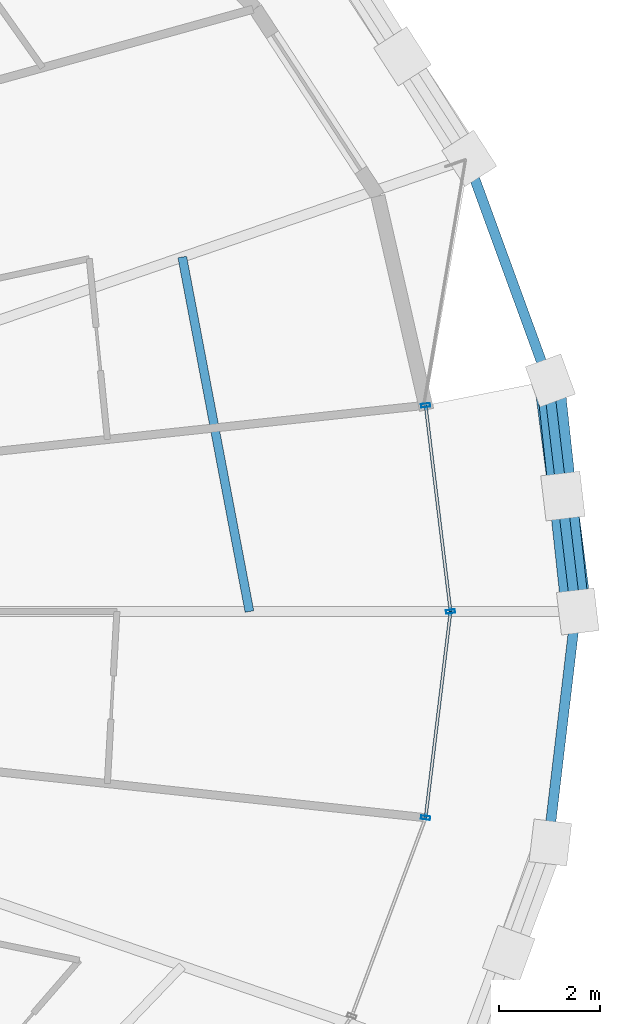
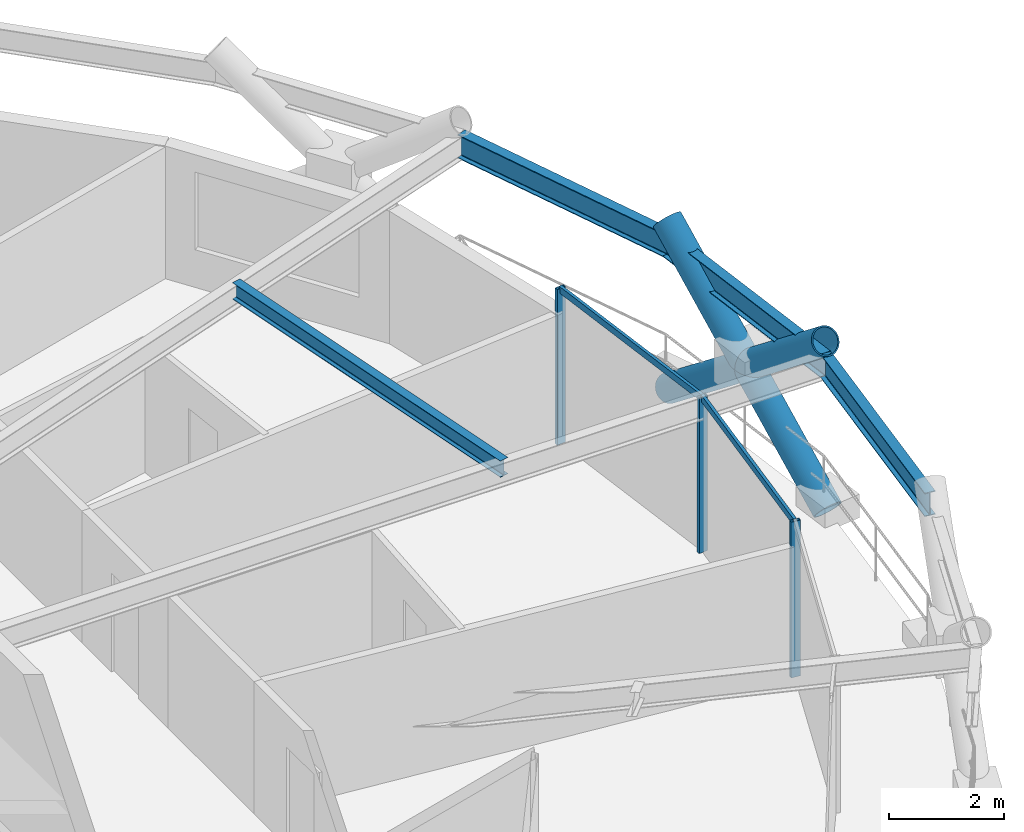
# One storey, part 11 of 19: 8 members, 4 beams, 1 element without a shape of its own.
"""IFC4 building model written with IfcOpenShell, lengths in metres."""

from ifc_helpers import new_model, si_unit, direction, frame, origin, origin_2d, place, context, subcontext, project, spatial, hollow_rectangle, hollow_circle, i_section, extrude, material, layer, layer_set, material_profile, profile_set, type_object, element, aggregate, save


model = new_model("IFC4")

# Units and contexts
model_context = context("Model", 3, precision=1e-05, world=origin(), true_north=direction((0.0, 1.0)))
body_context = subcontext(model_context, "Body", "Model", "MODEL_VIEW")
ifc_project = project(units=[si_unit("LENGTHUNIT", "METRE"), si_unit("AREAUNIT", "SQUARE_METRE"), si_unit("VOLUMEUNIT", "CUBIC_METRE"), si_unit("PLANEANGLEUNIT", "RADIAN"), si_unit("MASSUNIT", "GRAM", prefix="KILO")], contexts=[model_context])

# Site, building, storey
site_placement = place(None, origin())
site = spatial("IfcSite", under=ifc_project, at=site_placement, CompositionType="ELEMENT")
building_placement = place(site_placement, origin())
building = spatial("IfcBuilding", under=site, at=building_placement, Name="Veldorina Hangang Commons", CompositionType="ELEMENT")
storey_placement = place(building_placement, frame((0.0, 0.0, 156.800048828125)))
storey = spatial("IfcBuildingStorey", under=building, at=storey_placement, Name="L40", CompositionType="ELEMENT", Elevation=156.800048828125)

# Beams
ifc_material_1 = material(Name="Steel SM355-TMC", Category="steel")
ifc_material_profile_1 = material_profile(ifc_material_1, i_section(OverallWidth=0.175048828125, OverallDepth=0.35009765625, WebThickness=0.007080078125, FlangeThickness=0.010986328125, FilletRadius=0.012939453125, at=origin_2d()), Name="H-350x175x7x11")
ifc_profile_set_1 = profile_set([ifc_material_profile_1], Name="Steel SM355-TMC")
beam_type_1 = type_object("IfcBeamType", Name="BM-JST350", PredefinedType="JOIST", material=ifc_profile_set_1)
beam_1_placement = place(storey_placement, frame((53.7294921875, 24.0, 3.175048828125), z_axis=(-0.186168811823, 0.982517772615, 0.0), x_axis=(-0.982517772615, -0.186168811823, 0.0)))
element("IfcBeam", 1, at=beam_1_placement, inside=storey, type_object=beam_type_1, Name="L40 secondary floor joist 01", PredefinedType="JOIST", context=body_context, shape_type="SweptSolid", body=[
    extrude(i_section(OverallWidth=0.175048828125, OverallDepth=0.35009765625, WebThickness=0.007080078125, FlangeThickness=0.010986328125, FilletRadius=0.012939453125, at=origin_2d()), origin(), (0.0, 0.0, 1.0), 7.1484375),
])
ifc_material_2 = material(Name="Steel SM420-TMC", Category="steel")
ifc_material_profile_2 = material_profile(ifc_material_2, i_section(OverallWidth=0.199951171875, OverallDepth=0.5, WebThickness=0.010009765625, FlangeThickness=0.01611328125, FilletRadius=0.01611328125, at=origin_2d()), Name="H-500x200x10x16")
ifc_profile_set_2 = profile_set([ifc_material_profile_2], Name="Steel SM420-TMC")
beam_type_2 = type_object("IfcBeamType", Name="BM-RB500", PredefinedType="BEAM", material=ifc_profile_set_2)
beam_2_placement = place(storey_placement, frame((60.1953125, 24.0, 3.099853515625), z_axis=(-0.117662643849, 0.993053625059, 0.0), x_axis=(-0.993053625059, -0.117662643849, 0.0)))
element("IfcBeam", 2, at=beam_2_placement, inside=storey, type_object=beam_type_2, Name="L40 perimeter hoop ring beam 00", PredefinedType="BEAM", context=body_context, shape_type="SweptSolid", body=[
    extrude(i_section(OverallWidth=0.199951171875, OverallDepth=0.5, WebThickness=0.010009765625, FlangeThickness=0.01611328125, FilletRadius=0.01611328125, at=origin_2d()), origin(), (0.0, 0.0, 1.0), 4.604248046875),
])
beam_3_placement = place(storey_placement, frame((59.653564453125, 28.572265625, 3.099853515625), z_axis=(-0.342831836601, 0.939396791464, 0.0), x_axis=(-0.939396791464, -0.342831836601, 0.0)))
element("IfcBeam", 3, at=beam_3_placement, inside=storey, type_object=beam_type_2, Name="L40 perimeter hoop ring beam 01", PredefinedType="BEAM", context=body_context, shape_type="SweptSolid", body=[
    extrude(i_section(OverallWidth=0.199951171875, OverallDepth=0.5, WebThickness=0.010009765625, FlangeThickness=0.01611328125, FilletRadius=0.01611328125, at=origin_2d()), origin(), (0.0, 0.0, 1.0), 4.68017578125),
])
beam_4_placement = place(storey_placement, frame((59.653564453125, 19.427734375, 3.099853515625), z_axis=(0.117662643849, 0.993053625059, 0.0), x_axis=(-0.993053625059, 0.117662643849, 0.0)))
element("IfcBeam", 4, at=beam_4_placement, inside=storey, type_object=beam_type_2, Name="L40 perimeter hoop ring beam 31", PredefinedType="BEAM", context=body_context, shape_type="SweptSolid", body=[
    extrude(i_section(OverallWidth=0.199951171875, OverallDepth=0.5, WebThickness=0.010009765625, FlangeThickness=0.01611328125, FilletRadius=0.01611328125, at=origin_2d()), origin(), (0.0, 0.0, 1.0), 4.604248046875),
])

# Curtain wall, members
ifc_material_3 = material(Name="Glass Low-E Triple IGU", Category="glass")
ifc_layer = layer(ifc_material_3, 0.179931640625)
ifc_layer_set = layer_set([ifc_layer], Name="Glass Low-E Triple IGU")
curtain_wall_type = type_object("IfcCurtainWallType", Name="CW-SYS-Z2", PredefinedType="NOTDEFINED", material=ifc_layer_set)
curtain_wall_placement = place(storey_placement, origin())
curtain_wall = element("IfcCurtainWall", 5, at=curtain_wall_placement, inside=storey, type_object=curtain_wall_type, Name="L40 unitised curtain wall CW-L40-R2", PredefinedType="NOTDEFINED")
ifc_material_4 = material(Name="Aluminium Anodized AA6063-T6", Category="aluminium")
ifc_material_profile_3 = material_profile(ifc_material_4, hollow_rectangle(XDim=0.070068359375, YDim=0.179931640625, WallThickness=0.00390625, at=origin_2d()), Name="ALU-RHS-180x70x4")
ifc_profile_set_3 = profile_set([ifc_material_profile_3], Name="Aluminium Anodized AA6063-T6")
member_type_1 = type_object("IfcMemberType", Name="CW-MUL-180", PredefinedType="MULLION", material=ifc_profile_set_3)
member_1_placement = place(storey_placement, frame((57.220703125, 19.9140625, 0.0), z_axis=(0.0, 0.0, 1.0), x_axis=(0.120050203956, 0.992767822066, 0.0)))
member_1 = element("IfcMember", 6, at=member_1_placement, type_object=member_type_1, Name="CW-L40-R2 vertical mullion 4", PredefinedType="MULLION", context=body_context, shape_type="SweptSolid", body=[
    extrude(hollow_rectangle(XDim=0.070068359375, YDim=0.179931640625, WallThickness=0.00390625, at=origin_2d()), origin(), (0.0, 0.0, 1.0), 3.31005859375),
])
member_2_placement = place(storey_placement, frame((57.71484375, 24.0, 0.0), z_axis=(0.0, 0.0, 1.0), x_axis=(-0.120050203956, 0.992767822066, 0.0)))
member_2 = element("IfcMember", 7, at=member_2_placement, type_object=member_type_1, Name="CW-L40-R2 vertical mullion 5", PredefinedType="MULLION", context=body_context, shape_type="SweptSolid", body=[
    extrude(hollow_rectangle(XDim=0.070068359375, YDim=0.179931640625, WallThickness=0.00390625, at=origin_2d()), origin(), (0.0, 0.0, 1.0), 3.31005859375),
])
member_3_placement = place(storey_placement, frame((57.220703125, 28.0859375, 0.0), z_axis=(0.0, 0.0, 1.0), x_axis=(0.120050203956, -0.992767822066, 0.0)))
member_3 = element("IfcMember", 8, at=member_3_placement, type_object=member_type_1, Name="CW-L40-R2 vertical mullion 6", PredefinedType="MULLION", context=body_context, shape_type="SweptSolid", body=[
    extrude(hollow_rectangle(XDim=0.070068359375, YDim=0.179931640625, WallThickness=0.00390625, at=origin_2d()), origin(), (0.0, 0.0, 1.0), 3.31005859375),
])
ifc_material_profile_4 = material_profile(ifc_material_4, hollow_rectangle(XDim=0.06005859375, YDim=0.139892578125, WallThickness=0.00341796875, at=origin_2d()), Name="ALU-RHS-140x60x3.5")
ifc_profile_set_4 = profile_set([ifc_material_profile_4], Name="Aluminium Anodized AA6063-T6")
member_type_2 = type_object("IfcMemberType", Name="CW-TRN-140", PredefinedType="USERDEFINED", material=ifc_profile_set_4)
member_4_placement = place(storey_placement, frame((57.220703125, 19.9140625, 3.27001953125), z_axis=(0.120062091434, 0.992766384504, 0.0), x_axis=(-0.992766384504, 0.120062091434, 0.0)))
member_4 = element("IfcMember", 9, at=member_4_placement, type_object=member_type_2, Name="CW-L40-R2 facet 4 transom 1", ObjectType="TRANSOM", PredefinedType="USERDEFINED", context=body_context, shape_type="SweptSolid", body=[
    extrude(hollow_rectangle(XDim=0.06005859375, YDim=0.139892578125, WallThickness=0.00341796875, at=origin_2d()), origin(), (0.0, 0.0, 1.0), 4.11572265625),
])
member_5_placement = place(storey_placement, frame((57.71484375, 24.0, 3.27001953125), z_axis=(-0.120062091434, 0.992766384504, 0.0), x_axis=(-0.992766384504, -0.120062091434, 0.0)))
member_5 = element("IfcMember", 10, at=member_5_placement, type_object=member_type_2, Name="CW-L40-R2 facet 5 transom 1", ObjectType="TRANSOM", PredefinedType="USERDEFINED", context=body_context, shape_type="SweptSolid", body=[
    extrude(hollow_rectangle(XDim=0.06005859375, YDim=0.139892578125, WallThickness=0.00341796875, at=origin_2d()), origin(), (0.0, 0.0, 1.0), 4.11572265625),
])
aggregate(curtain_wall, [member_1, member_2, member_3, member_4, member_5])

# Members
ifc_material_profile_5 = material_profile(ifc_material_2, hollow_circle(Radius=0.27490234375, WallThickness=0.028076171875, at=origin_2d()), Name="CHS-550x28")
ifc_profile_set_5 = profile_set([ifc_material_profile_5], Name="Steel SM420-TMC")
member_type_3 = type_object("IfcMemberType", Name="DG-CHS550", PredefinedType="BRACE", material=ifc_profile_set_5)
member_6_placement = place(storey_placement, frame((60.23486328125, 24.0, 0.0), z_axis=(-0.10048402211, 0.781662995422, 0.615553346907), x_axis=(-0.991838263641, -0.127502387342, 0.0)))
element("IfcMember", 11, at=member_6_placement, inside=storey, type_object=member_type_3, Name="L40 continuous perimeter diagrid brace 00", PredefinedType="BRACE", context=body_context, shape_type="SweptSolid", body=[
    extrude(hollow_circle(Radius=0.27490234375, WallThickness=0.028076171875, at=origin_2d()), origin(), (0.0, 0.0, 1.0), 5.84814453125),
])
member_7_placement = place(storey_placement, frame((59.6923828125, 28.57763671875, 0.0), z_axis=(0.084988588464, -0.783180695851, 0.615958551752), x_axis=(0.994163504531, 0.107883855411, 0.0)))
element("IfcMember", 12, at=member_7_placement, inside=storey, type_object=member_type_3, Name="L40 split perimeter diagrid lower brace 01", PredefinedType="BRACE", context=body_context, shape_type="SweptSolid", body=[
    extrude(hollow_circle(Radius=0.27490234375, WallThickness=0.028076171875, at=origin_2d()), origin(), (0.0, 0.0, 1.0), 2.92431640625),
])
member_8_placement = place(storey_placement, frame((59.94091796875, 26.287353515625, 1.80126953125), z_axis=(0.08485451295, -0.783253134806, 0.615884923057), x_axis=(0.994182811477, 0.107705790762, 0.0)))
element("IfcMember", 13, at=member_8_placement, inside=storey, type_object=member_type_3, Name="L40 split perimeter diagrid upper brace 01", PredefinedType="BRACE", context=body_context, shape_type="SweptSolid", body=[
    extrude(hollow_circle(Radius=0.27490234375, WallThickness=0.028076171875, at=origin_2d()), origin(), (0.0, 0.0, 1.0), 2.92041015625),
])

save(model, "model.ifc")
